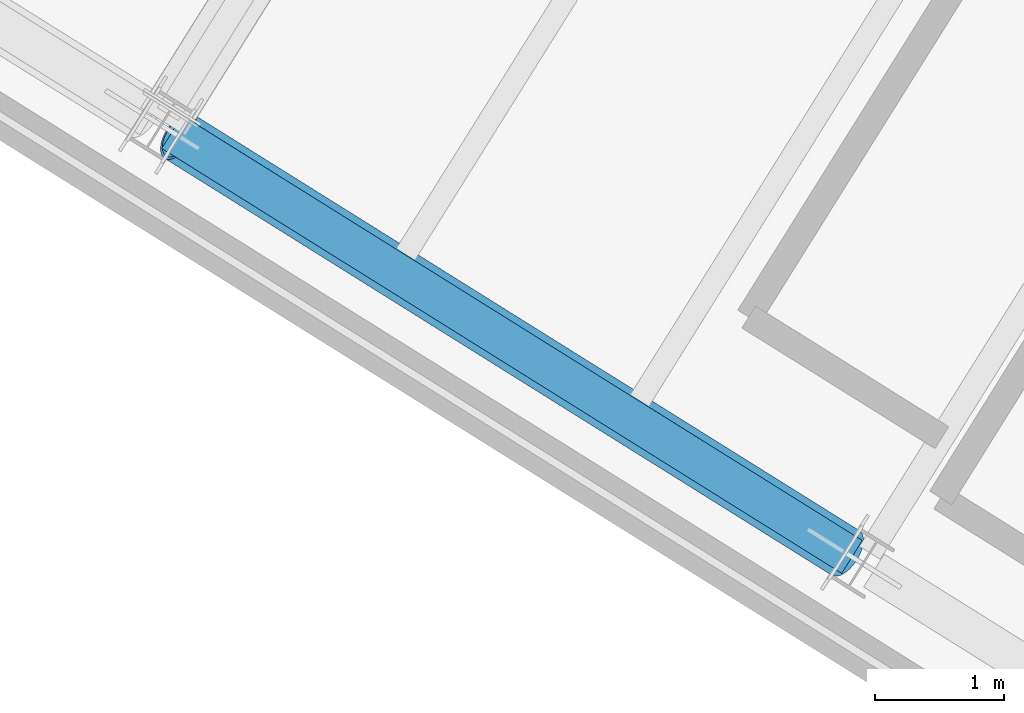
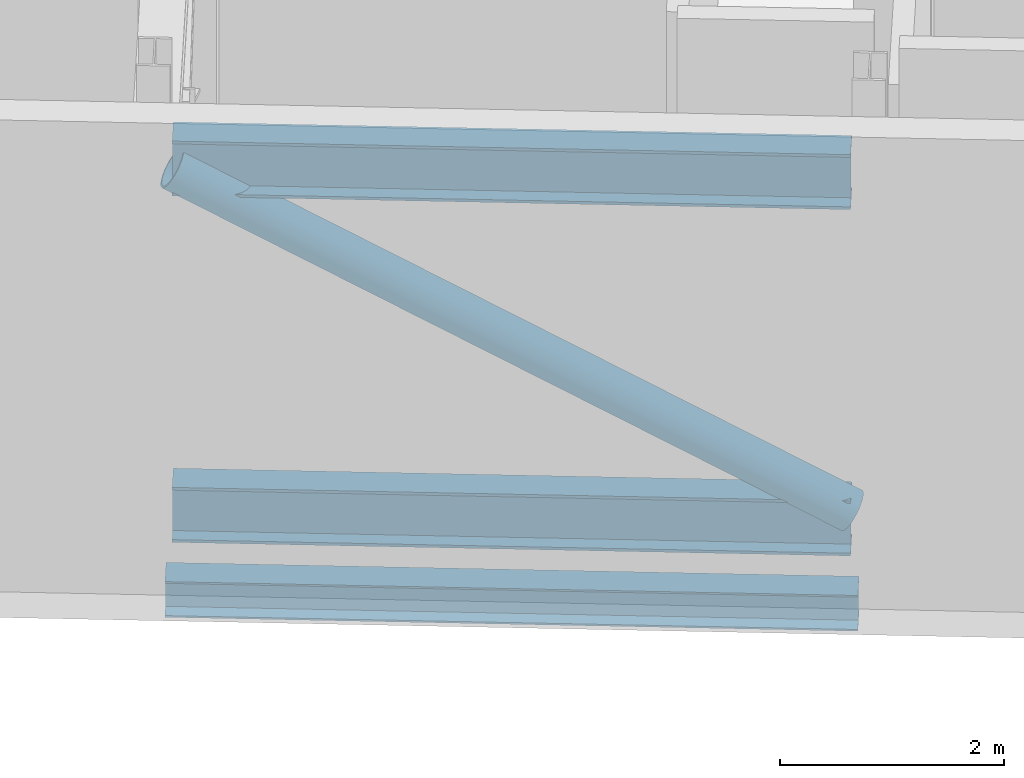
# One storey, part 5 of 32: 3 members, 1 beam.
"""IFC4 building model written with IfcOpenShell, lengths in metres."""

from ifc_helpers import new_model, si_unit, direction, frame, origin, origin_2d, place, context, subcontext, project, spatial, hollow_circle, i_section, extrude, source, transform, mapped, material, material_profile, profile_set, type_object, element, save


model = new_model("IFC4")

# Units and contexts
model_context = context("Model", 3, precision=1e-05, world=origin(), true_north=direction((0.0, 1.0)))
body_context = subcontext(model_context, "Body", "Model", "MODEL_VIEW")
ifc_project = project(units=[si_unit("LENGTHUNIT", "METRE"), si_unit("AREAUNIT", "SQUARE_METRE"), si_unit("VOLUMEUNIT", "CUBIC_METRE"), si_unit("PLANEANGLEUNIT", "RADIAN"), si_unit("MASSUNIT", "GRAM", prefix="KILO")], contexts=[model_context])

# Site, building, storey
site_placement = place(None, origin())
site = spatial("IfcSite", under=ifc_project, at=site_placement, CompositionType="ELEMENT")
building_placement = place(site_placement, origin())
building = spatial("IfcBuilding", under=site, at=building_placement, Name="Tlacorven Tower", CompositionType="ELEMENT")
storey_placement = place(building_placement, frame((0.0, 0.0, 245.699951171875)))
storey = spatial("IfcBuildingStorey", under=building, at=storey_placement, Name="L62", CompositionType="ELEMENT", Elevation=245.699951171875)

# Members
ifc_material_1 = material(Name="Steel S460M", Category="steel")
ifc_material_profile_1 = material_profile(ifc_material_1, i_section(OverallWidth=0.300048828125, OverallDepth=0.60009765625, WebThickness=0.015380859375, FlangeThickness=0.030029296875, at=origin_2d()), Name="HEB 600")
ifc_profile_set_1 = profile_set([ifc_material_profile_1], Name="Steel S460M")
member_type_1 = type_object("IfcMemberType", Name="MB-BLT-CHD", PredefinedType="CHORD", material=ifc_profile_set_1)
shared_shape_1 = source(origin(), body_context, "Body", "SweptSolid", [
    extrude(i_section(OverallWidth=0.300048828125, OverallDepth=0.60009765625, WebThickness=0.015380859375, FlangeThickness=0.030029296875, at=origin_2d()), origin(), (0.0, 0.0, 1.0), 6.070068359375),
])
for number, where, z_axis, x_axis, name in (
    (1, (18.765625, 13.699462890625, 0.449951171875), (-0.848054789024, 0.529908553255, 0.0), (-0.529908553255, -0.848054789024, 0.0), "L62 Belt Truss Chord W1-B"),
    (2, (18.765625, 13.699462890625, 4.22998046875), (-0.848054789024, 0.529908553255, 0.0), (-0.529908553255, -0.848054789024, 0.0), "L62 Belt Truss Chord W1-T"),
):
    element("IfcMember", number, at=place(storey_placement, frame(where, z_axis=z_axis, x_axis=x_axis)), inside=storey, type_object=member_type_1, Name=name, PredefinedType="CHORD", context=body_context, shape_type="MappedRepresentation", body=[
        mapped(shared_shape_1, transform((0.0, 0.0, 0.0), scale=1.0)),
    ])
ifc_material_profile_2 = material_profile(ifc_material_1, hollow_circle(Radius=0.203125, WallThickness=0.02001953125, at=origin_2d()), Name="CHS 406.4X20")
ifc_profile_set_2 = profile_set([ifc_material_profile_2], Name="Steel S460M")
member_type_2 = type_object("IfcMemberType", Name="MB-BLT-DIA", PredefinedType="BRACE", material=ifc_profile_set_2)
shared_shape_2 = source(origin(), body_context, "Body", "SweptSolid", [
    extrude(hollow_circle(Radius=0.203125, WallThickness=0.02001953125, at=origin_2d()), origin(), (0.0, 0.0, 1.0), 7.062744140625),
])
member_placement = place(storey_placement, frame((18.7705078125, 13.6962890625, 0.544189453125), z_axis=(-0.730193117358, 0.456284280871, 0.508549571225), x_axis=(-0.529926765559, -0.848043408762, 0.0)))
element("IfcMember", 3, at=member_placement, inside=storey, type_object=member_type_2, Name="L62 Belt Truss Diagonal W1-1", PredefinedType="BRACE", context=body_context, shape_type="MappedRepresentation", body=[
    mapped(shared_shape_2, transform((0.0, 0.0, 0.0), scale=1.0)),
])

# Beam
ifc_material_2 = material(Name="Steel S355J2", Category="steel")
ifc_material_profile_3 = material_profile(ifc_material_2, i_section(OverallWidth=0.300048828125, OverallDepth=0.389892578125, WebThickness=0.010986328125, FlangeThickness=0.01904296875, at=origin_2d()), Name="HEA 400")
ifc_profile_set_3 = profile_set([ifc_material_profile_3], Name="Steel S355J2")
beam_type = type_object("IfcBeamType", Name="BM-SPN-400", PredefinedType="SPANDREL", material=ifc_profile_set_3)
shared_shape_3 = source(origin(), body_context, "Body", "SweptSolid", [
    extrude(i_section(OverallWidth=0.300048828125, OverallDepth=0.389892578125, WebThickness=0.010986328125, FlangeThickness=0.01904296875, at=origin_2d()), origin(), (0.0, 0.0, 1.0), 6.199951171875),
])
beam_placement = place(storey_placement, frame((18.82080078125, 13.6650390625, -0.474853515625), z_axis=(-0.848051394107, 0.529913986372, 0.0), x_axis=(-0.529913986372, -0.848051394107, 0.0)))
element("IfcBeam", 4, at=beam_placement, inside=storey, type_object=beam_type, Name="L62 beam BM-L62-WL4-3", PredefinedType="SPANDREL", context=body_context, shape_type="MappedRepresentation", body=[
    mapped(shared_shape_3, transform((0.0, 0.0, 0.0), scale=1.0)),
])

save(model, "model.ifc")
